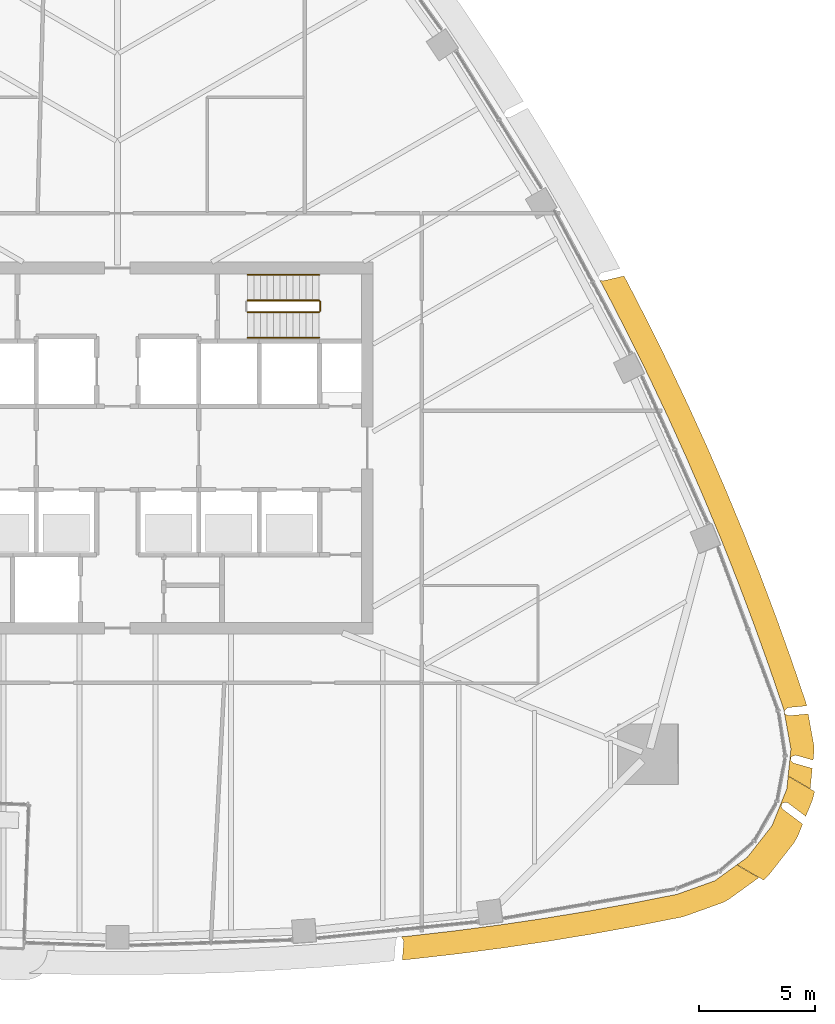
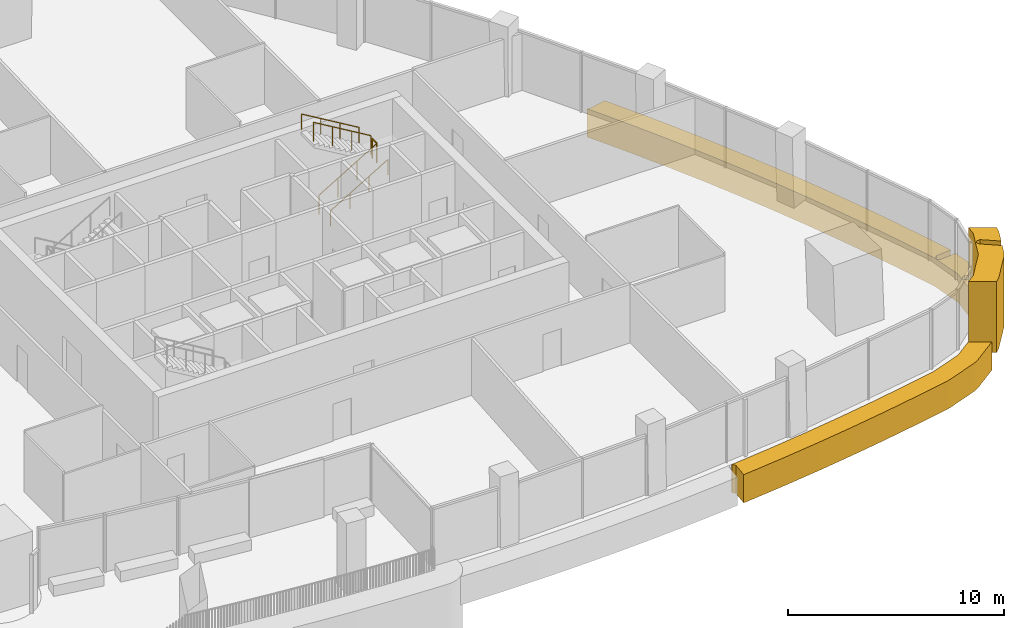
# One storey, part 16 of 18: 5 railings, 3 coverings.
"""IFC4 building model written with IfcOpenShell, lengths in metres."""

from ifc_helpers import new_model, si_unit, direction, frame, origin, origin_2d, place, context, subcontext, project, spatial, polyline, circle, outline, extrude, material, layer, layer_set, type_object, element, save


model = new_model("IFC4")

# Units and contexts
model_context = context("Model", 3, precision=1e-05, world=origin(), true_north=direction((0.0, 1.0)))
body_context = subcontext(model_context, "Body", "Model", "MODEL_VIEW")
ifc_project = project(units=[si_unit("LENGTHUNIT", "METRE"), si_unit("AREAUNIT", "SQUARE_METRE"), si_unit("VOLUMEUNIT", "CUBIC_METRE"), si_unit("PLANEANGLEUNIT", "RADIAN"), si_unit("MASSUNIT", "GRAM", prefix="KILO")], contexts=[model_context])

# Site, building, storey
site_placement = place(None, origin())
site = spatial("IfcSite", under=ifc_project, at=site_placement, CompositionType="ELEMENT")
building_placement = place(site_placement, origin())
building = spatial("IfcBuilding", under=site, at=building_placement, Name="Sierra Prisma Convention Tower", CompositionType="ELEMENT")
storey_placement = place(building_placement, frame((0.0, 0.0, 205.800048828125)))
storey = spatial("IfcBuildingStorey", under=building, at=storey_placement, Name="L46", CompositionType="ELEMENT", Elevation=205.800048828125)

# Coverings
ifc_material_1 = material(Name="Aluminium composite bronze anodised", Category="aluminium")
ifc_layer_1 = layer(ifc_material_1, 1.199951171875)
ifc_layer_set_1 = layer_set([ifc_layer_1], Name="Bronze corner pier")
covering_type_1 = type_object("IfcCoveringType", Name="Bronze corner pier", PredefinedType="CLADDING", material=ifc_layer_set_1)
covering_1_placement = place(storey_placement, frame((0.0, 0.0, -0.60009765625)))
element("IfcCovering", 1, at=covering_1_placement, inside=storey, type_object=covering_type_1, Name="Corner pier SE L46.1", PredefinedType="CLADDING", context=body_context, shape_type="SweptSolid", body=[
    extrude(outline(polyline([(28.86962890625, -14.12744140625), (30.0087890625, -14.78515625), (30.00830078125, -14.789794921875), (29.927490234375, -15.1162109375), (29.630126953125, -15.85400390625), (28.8564453125, -15.272216796875), (28.852294921875, -15.269287109375), (28.847900390625, -15.266845703125), (28.843505859375, -15.264892578125), (28.838623046875, -15.263671875), (28.833740234375, -15.2626953125), (28.828857421875, -15.26220703125), (28.823974609375, -15.26220703125), (28.656005859375, -15.270751953125), (28.6513671875, -15.271240234375), (28.646728515625, -15.272216796875), (28.64208984375, -15.2734375), (28.6376953125, -15.275390625), (28.633544921875, -15.277587890625), (28.629638671875, -15.280029296875), (28.6259765625, -15.282958984375), (28.62255859375, -15.2861328125), (28.619384765625, -15.289794921875), (28.61669921875, -15.293701171875), (28.6142578125, -15.297607421875), (28.6123046875, -15.302001953125), (28.574951171875, -15.394775390625), (28.5732421875, -15.3994140625), (28.572265625, -15.404296875), (28.571533203125, -15.4091796875), (28.5712890625, -15.414306640625), (28.571533203125, -15.419189453125), (28.572509765625, -15.424072265625), (28.57373046875, -15.4287109375), (28.575439453125, -15.433349609375), (28.57763671875, -15.437744140625), (28.632568359375, -15.5361328125), (28.63525390625, -15.54052734375), (28.638427734375, -15.544677734375), (28.64208984375, -15.548583984375), (28.64599609375, -15.5517578125), (29.494873046875, -16.18994140625), (29.2841796875, -16.712890625), (29.115966796875, -17.00439453125), (28.0546875, -18.35986328125), (27.8125, -18.593017578125), (27.80859375, -18.595703125), (26.669677734375, -17.93798828125), (27.10986328125, -17.6201171875), (28.171142578125, -16.2646484375), (28.814453125, -14.667724609375), (28.86962890625, -14.12744140625)])), origin(), (0.0, 0.0, 1.0), 4.0),
])
ifc_material_2 = material(Name="Aluminium composite bronze anodised", Category="aluminium")
ifc_layer_2 = layer(ifc_material_2, 1.0)
ifc_layer_set_2 = layer_set([ifc_layer_2], Name="Bronze spandrel band")
covering_type_2 = type_object("IfcCoveringType", Name="Bronze spandrel band", PredefinedType="CLADDING", material=ifc_layer_set_2)
covering_2_placement = place(storey_placement, frame((0.0, 0.0, -1.60009765625)))
element("IfcCovering", 2, at=covering_2_placement, inside=storey, type_object=covering_type_2, Name="Spandrel band L46.6", PredefinedType="CLADDING", context=body_context, shape_type="SweptSolid", body=[
    extrude(outline(polyline([(25.4033203125, -0.005126953125), (26.17626953125, -1.785400390625), (26.1826171875, -1.800537109375), (26.92626953125, -3.59326171875), (26.932373046875, -3.6083984375), (27.646728515625, -5.4130859375), (27.652587890625, -5.42822265625), (28.33740234375, -7.244140625), (28.343017578125, -7.259521484375), (28.998291015625, -9.08642578125), (29.003662109375, -9.101806640625), (29.629150390625, -10.939208984375), (29.66650390625, -11.0830078125), (29.669189453125, -11.099609375), (28.875, -11.1728515625), (28.8701171875, -11.173583984375), (28.865234375, -11.1748046875), (28.8603515625, -11.176513671875), (28.85595703125, -11.1787109375), (28.8515625, -11.181396484375), (28.84765625, -11.184326171875), (28.732177734375, -11.281005859375), (28.728515625, -11.2841796875), (28.725341796875, -11.287841796875), (28.722412109375, -11.291748046875), (28.72021484375, -11.2958984375), (28.718017578125, -11.300048828125), (28.71630859375, -11.3046875), (28.715087890625, -11.30908203125), (28.714599609375, -11.31396484375), (28.714111328125, -11.318603515625), (28.71435546875, -11.323486328125), (28.715087890625, -11.328369140625), (28.73291015625, -11.4267578125), (28.73388671875, -11.431396484375), (28.735595703125, -11.43603515625), (28.737548828125, -11.4404296875), (28.739990234375, -11.444580078125), (28.74267578125, -11.448486328125), (28.745849609375, -11.452392578125), (28.74951171875, -11.45556640625), (28.753173828125, -11.45849609375), (28.75732421875, -11.461181640625), (28.76171875, -11.46337890625), (28.88232421875, -11.517333984375), (28.88720703125, -11.51904296875), (28.89208984375, -11.5205078125), (28.897216796875, -11.521240234375), (28.902099609375, -11.521484375), (28.9072265625, -11.521484375), (29.73193359375, -11.4453125), (29.973388671875, -12.77685546875), (29.984130859375, -13.056884765625), (29.945556640625, -13.435546875), (29.202880859375, -13.22509765625), (29.198486328125, -13.22412109375), (29.19384765625, -13.223388671875), (29.189208984375, -13.22314453125), (29.1845703125, -13.223388671875), (29.179931640625, -13.22412109375), (29.175537109375, -13.22509765625), (29.171142578125, -13.2265625), (29.022705078125, -13.284912109375), (29.01806640625, -13.287109375), (29.013916015625, -13.28955078125), (29.009765625, -13.29248046875), (29.006103515625, -13.295654296875), (29.002685546875, -13.29931640625), (28.999755859375, -13.30322265625), (28.9970703125, -13.3076171875), (28.994873046875, -13.31201171875), (28.9931640625, -13.316650390625), (28.991943359375, -13.321533203125), (28.9912109375, -13.326416015625), (28.98095703125, -13.42578125), (28.980712890625, -13.430908203125), (28.981201171875, -13.436279296875), (28.98193359375, -13.44140625), (28.983154296875, -13.4462890625), (28.985107421875, -13.451171875), (28.9873046875, -13.455810546875), (28.990234375, -13.460205078125), (28.993408203125, -13.464111328125), (28.9970703125, -13.4677734375), (29.08740234375, -13.550537109375), (29.091064453125, -13.553466796875), (29.0947265625, -13.55615234375), (29.098876953125, -13.558349609375), (29.10302734375, -13.560302734375), (29.107421875, -13.561767578125), (29.909423828125, -13.7890625), (29.81982421875, -14.664794921875), (28.87060546875, -14.11669921875), (28.989501953125, -12.955322265625), (28.682373046875, -11.261474609375), (28.056884765625, -9.424072265625), (27.40185546875, -7.596923828125), (26.717041015625, -5.781005859375), (26.002685546875, -3.976318359375), (25.2587890625, -2.18359375), (24.486083984375, -0.4033203125), (23.684326171875, 1.3642578125), (22.85400390625, 3.118408203125), (21.9951171875, 4.85888671875), (21.10791015625, 6.585205078125), (20.763916015625, 7.228759765625), (20.767578125, 7.225830078125), (20.77197265625, 7.223388671875), (20.7763671875, 7.22119140625), (20.781005859375, 7.2197265625), (20.785888671875, 7.218505859375), (20.896484375, 7.197509765625), (20.901611328125, 7.19677734375), (20.906982421875, 7.196533203125), (20.912109375, 7.197021484375), (20.917236328125, 7.197998046875), (21.8037109375, 7.40478515625), (21.98974609375, 7.056884765625), (21.997314453125, 7.04248046875), (22.884521484375, 5.316162109375), (22.891845703125, 5.301513671875), (23.750732421875, 3.56103515625), (23.7578125, 3.54638671875), (24.588134765625, 1.7919921875), (24.594970703125, 1.77734375), (25.396728515625, 0.009765625), (25.4033203125, -0.005126953125)])), origin(), (0.0, 0.0, 1.0), 1.60009765625),
])
covering_3_placement = place(storey_placement, frame((0.0, 0.0, -1.60009765625)))
element("IfcCovering", 3, at=covering_3_placement, inside=storey, type_object=covering_type_2, Name="Spandrel band L46.7", PredefinedType="CLADDING", context=body_context, shape_type="SweptSolid", body=[
    extrude(outline(polyline([(24.2880859375, -20.18994140625), (22.38427734375, -20.567138671875), (22.3681640625, -20.570068359375), (20.45849609375, -20.916015625), (20.4423828125, -20.9189453125), (18.527099609375, -21.23388671875), (18.510986328125, -21.236328125), (16.591064453125, -21.52001953125), (16.574951171875, -21.522216796875), (14.650390625, -21.7744140625), (14.634521484375, -21.776611328125), (12.7060546875, -21.997314453125), (12.68994140625, -21.9990234375), (12.262451171875, -22.041015625), (12.324951171875, -21.22998046875), (12.3251953125, -21.22509765625), (12.32470703125, -21.220703125), (12.32421875, -21.216064453125), (12.322998046875, -21.21142578125), (12.3212890625, -21.20703125), (12.319580078125, -21.202880859375), (12.317138671875, -21.198974609375), (12.23046875, -21.06494140625), (12.2275390625, -21.06103515625), (12.224365234375, -21.05712890625), (12.220703125, -21.053955078125), (12.216796875, -21.05078125), (12.21240234375, -21.04833984375), (12.2080078125, -21.046142578125), (12.203369140625, -21.04443359375), (12.198486328125, -21.043212890625), (12.196044921875, -21.042724609375), (12.59228515625, -21.00390625), (14.5205078125, -20.782958984375), (16.44482421875, -20.53076171875), (18.364990234375, -20.2470703125), (20.2802734375, -19.93212890625), (22.18994140625, -19.586181640625), (24.09375, -19.208984375), (25.71435546875, -18.6279296875), (26.66064453125, -17.944580078125), (27.60986328125, -18.492431640625), (26.2998046875, -19.438720703125), (26.0517578125, -19.5693359375), (24.431396484375, -20.150390625), (24.2880859375, -20.18994140625)])), origin(), (0.0, 0.0, 1.0), 1.60009765625),
])

# Railings
ifc_material_3 = material(Name="Stainless steel", Category="steel")
railing_type_1 = type_object("IfcRailingType", Name="Exit stair handrail", PredefinedType="HANDRAIL", material=ifc_material_3)
railing_1_placement = place(storey_placement, frame((5.60009765625, 4.75, 0.16650390625)))
element("IfcRailing", 4, at=railing_1_placement, inside=storey, type_object=railing_type_1, Name="L46 S4 stair handrail 1", PredefinedType="HANDRAIL", context=body_context, shape_type="SweptSolid", body=[
    extrude(circle(Radius=0.02392578125, at=origin_2d()), frame((0.0, 0.0, 0.8759765625), z_axis=(0.859260807169, 0.0, 0.511537745687), x_axis=(0.0, 1.0, 0.0)), (0.0, 0.0, 1.0), 3.584228515625),
    extrude(circle(Radius=0.02099609375, at=origin_2d()), origin(), (0.0, 0.0, 1.0), 0.851806640625),
    extrude(circle(Radius=0.02099609375, at=origin_2d()), frame((1.026611328125, 0.0, 0.611083984375)), (0.0, 0.0, 1.0), 0.851806640625),
    extrude(circle(Radius=0.02099609375, at=origin_2d()), frame((2.05322265625, 0.0, 1.222412109375)), (0.0, 0.0, 1.0), 0.851806640625),
    extrude(circle(Radius=0.02099609375, at=origin_2d()), frame((3.079833984375, 0.0, 1.83349609375)), (0.0, 0.0, 1.0), 0.851806640625),
])
railing_2_placement = place(storey_placement, frame((8.679931640625, 7.449951171875, 2.16650390625)))
element("IfcRailing", 5, at=railing_2_placement, inside=storey, type_object=railing_type_1, Name="L46 S4 stair handrail 2", PredefinedType="HANDRAIL", context=body_context, shape_type="SweptSolid", body=[
    extrude(circle(Radius=0.02392578125, at=origin_2d()), frame((0.0, 0.0, 0.8759765625), z_axis=(-0.859260807169, 0.0, 0.511537745687), x_axis=(0.0, -1.0, 0.0)), (0.0, 0.0, 1.0), 3.584228515625),
    extrude(circle(Radius=0.02099609375, at=origin_2d()), origin(), (0.0, 0.0, 1.0), 0.851806640625),
    extrude(circle(Radius=0.02099609375, at=origin_2d()), frame((-1.026611328125, 0.0, 0.611083984375)), (0.0, 0.0, 1.0), 0.851806640625),
    extrude(circle(Radius=0.02099609375, at=origin_2d()), frame((-2.05322265625, 0.0, 1.222412109375)), (0.0, 0.0, 1.0), 0.851806640625),
    extrude(circle(Radius=0.02099609375, at=origin_2d()), frame((-3.079833984375, 0.0, 1.83349609375)), (0.0, 0.0, 1.0), 0.851806640625),
])
ifc_material_4 = material(Name="Stainless steel", Category="steel")
railing_type_2 = type_object("IfcRailingType", Name="Stair guard 1100", PredefinedType="GUARDRAIL", material=ifc_material_4)
railing_3_placement = place(storey_placement, frame((5.60009765625, 5.85009765625, 0.16650390625)))
element("IfcRailing", 6, at=railing_3_placement, inside=storey, type_object=railing_type_2, Name="L46 S4 stair guard 1", PredefinedType="GUARDRAIL", context=body_context, shape_type="SweptSolid", body=[
    extrude(circle(Radius=0.02392578125, at=origin_2d()), frame((0.0, 0.0, 1.076171875), z_axis=(0.859260807169, 0.0, 0.511537745687), x_axis=(0.0, 1.0, 0.0)), (0.0, 0.0, 1.0), 3.584228515625),
    extrude(circle(Radius=0.02099609375, at=origin_2d()), origin(), (0.0, 0.0, 1.0), 1.052001953125),
    extrude(circle(Radius=0.02099609375, at=origin_2d()), frame((1.026611328125, 0.0, 0.611083984375)), (0.0, 0.0, 1.0), 1.052001953125),
    extrude(circle(Radius=0.02099609375, at=origin_2d()), frame((2.05322265625, 0.0, 1.222412109375)), (0.0, 0.0, 1.0), 1.052001953125),
    extrude(circle(Radius=0.02099609375, at=origin_2d()), frame((3.079833984375, 0.0, 1.83349609375)), (0.0, 0.0, 1.0), 1.052001953125),
])
railing_4_placement = place(storey_placement, frame((8.72998046875, 5.89990234375, 2.0)))
element("IfcRailing", 7, at=railing_4_placement, inside=storey, type_object=railing_type_2, Name="L46 S4 stair guard 2", PredefinedType="GUARDRAIL", context=body_context, shape_type="SweptSolid", body=[
    extrude(circle(Radius=0.02392578125, at=origin_2d()), frame((0.0, 0.0, 1.076171875), z_axis=(0.0, 1.0, 0.0), x_axis=(-1.0, 0.0, 0.0)), (0.0, 0.0, 1.0), 0.400146484375),
    extrude(circle(Radius=0.02099609375, at=origin_2d()), origin(), (0.0, 0.0, 1.0), 1.052001953125),
    extrude(circle(Radius=0.02099609375, at=origin_2d()), frame((0.0, 0.400146484375, 0.0)), (0.0, 0.0, 1.0), 1.052001953125),
])
railing_5_placement = place(storey_placement, frame((8.679931640625, 6.35009765625, 2.16650390625)))
element("IfcRailing", 8, at=railing_5_placement, inside=storey, type_object=railing_type_2, Name="L46 S4 stair guard 3", PredefinedType="GUARDRAIL", context=body_context, shape_type="SweptSolid", body=[
    extrude(circle(Radius=0.02392578125, at=origin_2d()), frame((0.0, 0.0, 1.076171875), z_axis=(-0.859260807169, 0.0, 0.511537745687), x_axis=(0.0, -1.0, 0.0)), (0.0, 0.0, 1.0), 3.584228515625),
    extrude(circle(Radius=0.02099609375, at=origin_2d()), origin(), (0.0, 0.0, 1.0), 1.052001953125),
    extrude(circle(Radius=0.02099609375, at=origin_2d()), frame((-1.026611328125, 0.0, 0.611083984375)), (0.0, 0.0, 1.0), 1.052001953125),
    extrude(circle(Radius=0.02099609375, at=origin_2d()), frame((-2.05322265625, 0.0, 1.222412109375)), (0.0, 0.0, 1.0), 1.052001953125),
    extrude(circle(Radius=0.02099609375, at=origin_2d()), frame((-3.079833984375, 0.0, 1.83349609375)), (0.0, 0.0, 1.0), 1.052001953125),
])

save(model, "model.ifc")
